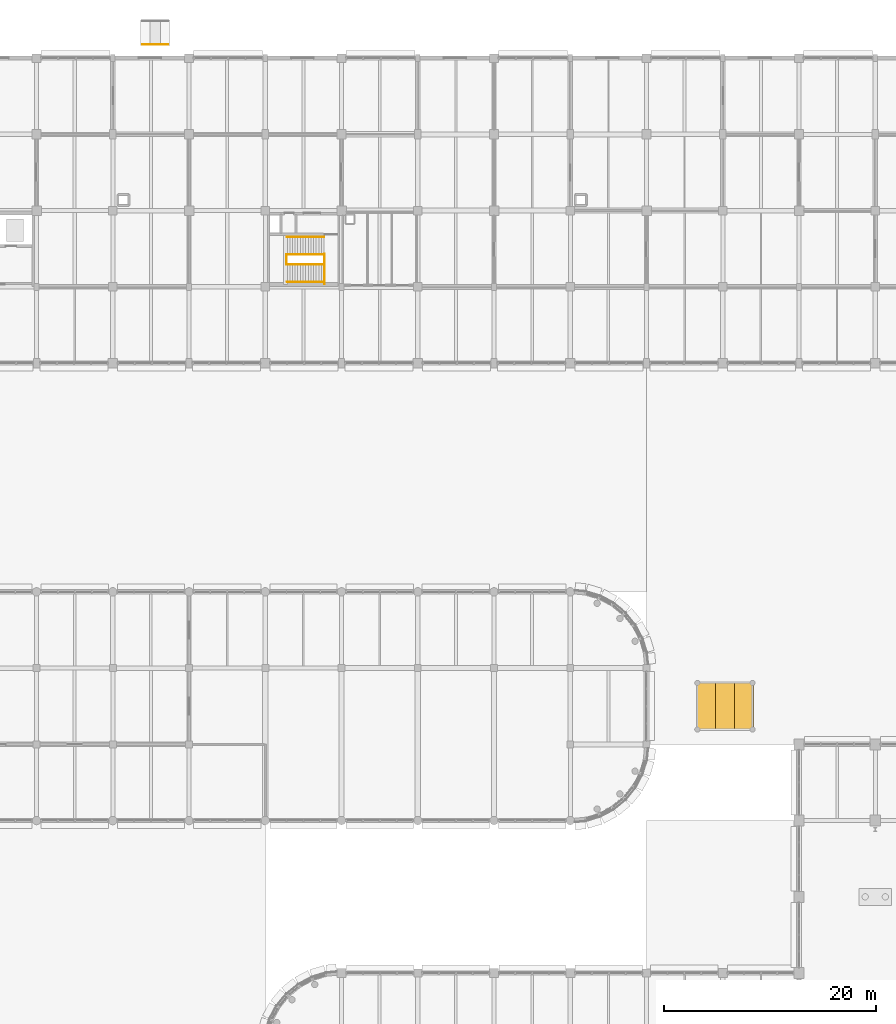
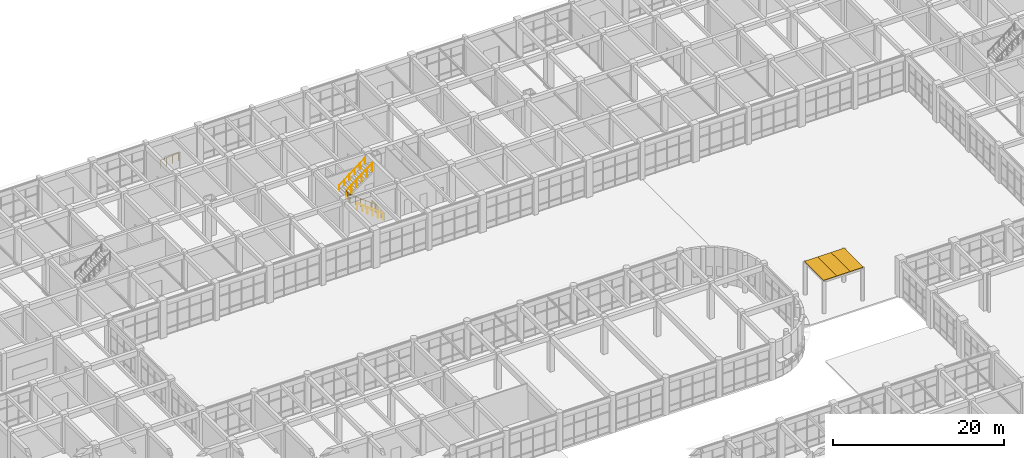
# One storey, part 156 of 160: 7 railings, 3 shading devices.
"""IFC4 building model written with IfcOpenShell, lengths in metres."""

from ifc_helpers import new_model, si_unit, direction, frame, origin, origin_2d, place, context, subcontext, project, spatial, rectangle, circle, extrude, material, layer, layer_set, type_object, element, save


model = new_model("IFC4")

# Units and contexts
model_context = context("Model", 3, precision=1e-05, world=origin(), true_north=direction((0.0, 1.0)))
body_context = subcontext(model_context, "Body", "Model", "MODEL_VIEW")
ifc_project = project(units=[si_unit("LENGTHUNIT", "METRE"), si_unit("AREAUNIT", "SQUARE_METRE"), si_unit("VOLUMEUNIT", "CUBIC_METRE"), si_unit("PLANEANGLEUNIT", "RADIAN"), si_unit("MASSUNIT", "GRAM", prefix="KILO")], contexts=[model_context])

# Site, building, storey
site_placement = place(None, origin())
site = spatial("IfcSite", under=ifc_project, at=site_placement, CompositionType="ELEMENT")
building_placement = place(site_placement, origin())
building = spatial("IfcBuilding", under=site, at=building_placement, Name="Thalmaran Polytechnic", CompositionType="ELEMENT")
storey_placement = place(building_placement, origin())
storey = spatial("IfcBuildingStorey", under=building, at=storey_placement, Name="L00", CompositionType="ELEMENT", Elevation=0.0)

# Railings
ifc_material_1 = material(Name="Stainless steel 316", Category="steel")
railing_type_1 = type_object("IfcRailingType", Name="RL-GR01", PredefinedType="GUARDRAIL", material=ifc_material_1)
railing_1_placement = place(storey_placement, frame((63.169921875, 101.050048828125, 0.0)))
element("IfcRailing", 1, at=railing_1_placement, inside=storey, type_object=railing_type_1, Name="ST6 L00 Landing Edge Guardrail", PredefinedType="GUARDRAIL", context=body_context, shape_type="SweptSolid", body=[
    extrude(circle(Radius=0.02392578125, at=origin_2d()), frame((0.0, 0.0, 1.1259765625), z_axis=(0.0, 1.0, 0.0), x_axis=(-1.0, 0.0, 0.0)), (0.0, 0.0, 1.0), 2.869873046875),
    extrude(circle(Radius=0.02099609375, at=origin_2d()), origin(), (0.0, 0.0, 1.0), 1.101806640625),
    extrude(circle(Radius=0.02099609375, at=origin_2d()), frame((0.0, 0.717529296875, 0.0)), (0.0, 0.0, 1.0), 1.101806640625),
    extrude(circle(Radius=0.02099609375, at=origin_2d()), frame((0.0, 1.43505859375, 0.0)), (0.0, 0.0, 1.0), 1.101806640625),
    extrude(circle(Radius=0.02099609375, at=origin_2d()), frame((0.0, 2.15234375, 0.0)), (0.0, 0.0, 1.0), 1.101806640625),
    extrude(circle(Radius=0.02099609375, at=origin_2d()), frame((0.0, 2.869873046875, 0.0)), (0.0, 0.0, 1.0), 1.101806640625),
])
railing_2_placement = place(storey_placement, frame((63.159912109375, 102.919921875, 0.0)))
element("IfcRailing", 2, at=railing_2_placement, inside=storey, type_object=railing_type_1, Name="ST6 L00 Lower Flight Guardrail", PredefinedType="GUARDRAIL", context=body_context, shape_type="SweptSolid", body=[
    extrude(circle(Radius=0.02392578125, at=origin_2d()), frame((0.0, 0.0, 1.1259765625), z_axis=(-0.791787597706, 0.0, 0.610796529229), x_axis=(0.0, -1.0, 0.0)), (0.0, 0.0, 1.0), 4.42041015625),
    extrude(circle(Radius=0.02099609375, at=origin_2d()), origin(), (0.0, 0.0, 1.0), 1.101806640625),
    extrude(circle(Radius=0.02099609375, at=origin_2d()), frame((-0.699951171875, 0.0, 0.5400390625)), (0.0, 0.0, 1.0), 1.101806640625),
    extrude(circle(Radius=0.02099609375, at=origin_2d()), frame((-1.39990234375, 0.0, 1.080078125)), (0.0, 0.0, 1.0), 1.101806640625),
    extrude(circle(Radius=0.02099609375, at=origin_2d()), frame((-2.10009765625, 0.0, 1.619873046875)), (0.0, 0.0, 1.0), 1.101806640625),
    extrude(circle(Radius=0.02099609375, at=origin_2d()), frame((-2.800048828125, 0.0, 2.159912109375)), (0.0, 0.0, 1.0), 1.101806640625),
    extrude(circle(Radius=0.02099609375, at=origin_2d()), frame((-3.5, 0.0, 2.699951171875)), (0.0, 0.0, 1.0), 1.101806640625),
])
railing_3_placement = place(storey_placement, frame((59.6201171875, 102.89990234375, 2.699951171875)))
element("IfcRailing", 3, at=railing_3_placement, inside=storey, type_object=railing_type_1, Name="ST6 L00 Half-Landing Well Guardrail", PredefinedType="GUARDRAIL", context=body_context, shape_type="SweptSolid", body=[
    extrude(circle(Radius=0.02392578125, at=origin_2d()), frame((0.0, 0.0, 1.1259765625), z_axis=(0.0, 1.0, 0.0), x_axis=(-1.0, 0.0, 0.0)), (0.0, 0.0, 1.0), 0.97998046875),
    extrude(circle(Radius=0.02099609375, at=origin_2d()), origin(), (0.0, 0.0, 1.0), 1.101806640625),
    extrude(circle(Radius=0.02099609375, at=origin_2d()), frame((0.0, 0.32666015625, 0.0)), (0.0, 0.0, 1.0), 1.101806640625),
    extrude(circle(Radius=0.02099609375, at=origin_2d()), frame((0.0, 0.6533203125, 0.0)), (0.0, 0.0, 1.0), 1.101806640625),
    extrude(circle(Radius=0.02099609375, at=origin_2d()), frame((0.0, 0.97998046875, 0.0)), (0.0, 0.0, 1.0), 1.101806640625),
])
railing_4_placement = place(storey_placement, frame((59.659912109375, 103.860107421875, 2.699951171875)))
element("IfcRailing", 4, at=railing_4_placement, inside=storey, type_object=railing_type_1, Name="ST6 L00 Upper Flight Guardrail", PredefinedType="GUARDRAIL", context=body_context, shape_type="SweptSolid", body=[
    extrude(circle(Radius=0.02392578125, at=origin_2d()), frame((0.0, 0.0, 1.1259765625), z_axis=(0.791787597706, 0.0, 0.610796529229), x_axis=(0.0, 1.0, 0.0)), (0.0, 0.0, 1.0), 4.42041015625),
    extrude(circle(Radius=0.02099609375, at=origin_2d()), origin(), (0.0, 0.0, 1.0), 1.101806640625),
    extrude(circle(Radius=0.02099609375, at=origin_2d()), frame((0.699951171875, 0.0, 0.5400390625)), (0.0, 0.0, 1.0), 1.101806640625),
    extrude(circle(Radius=0.02099609375, at=origin_2d()), frame((1.39990234375, 0.0, 1.080078125)), (0.0, 0.0, 1.0), 1.101806640625),
    extrude(circle(Radius=0.02099609375, at=origin_2d()), frame((2.10009765625, 0.0, 1.619873046875)), (0.0, 0.0, 1.0), 1.101806640625),
    extrude(circle(Radius=0.02099609375, at=origin_2d()), frame((2.800048828125, 0.0, 2.159912109375)), (0.0, 0.0, 1.0), 1.101806640625),
    extrude(circle(Radius=0.02099609375, at=origin_2d()), frame((3.5, 0.0, 2.699951171875)), (0.0, 0.0, 1.0), 1.101806640625),
])
railing_5_placement = place(storey_placement, frame((46.0, 123.679931640625, -0.179931640625)))
element("IfcRailing", 5, at=railing_5_placement, inside=storey, type_object=railing_type_1, Name="Ramp Guardrail PED5-A", PredefinedType="GUARDRAIL", context=body_context, shape_type="SweptSolid", body=[
    extrude(circle(Radius=0.02392578125, at=origin_2d()), frame((0.0, 0.0, 1.1259765625), z_axis=(0.997201201018, 0.0, 0.074764728906), x_axis=(0.0, 1.0, 0.0)), (0.0, 0.0, 1.0), 2.40673828125),
    extrude(circle(Radius=0.02099609375, at=origin_2d()), origin(), (0.0, 0.0, 1.0), 1.101806640625),
    extrude(circle(Radius=0.02099609375, at=origin_2d()), frame((0.800048828125, 0.0, 0.06005859375)), (0.0, 0.0, 1.0), 1.101806640625),
    extrude(circle(Radius=0.02099609375, at=origin_2d()), frame((1.599853515625, 0.0, 0.119873046875)), (0.0, 0.0, 1.0), 1.101806640625),
    extrude(circle(Radius=0.02099609375, at=origin_2d()), frame((2.39990234375, 0.0, 0.179931640625)), (0.0, 0.0, 1.0), 1.101806640625),
])
railing_type_2 = type_object("IfcRailingType", Name="RL-HR01", PredefinedType="HANDRAIL", material=ifc_material_1)
railing_6_placement = place(storey_placement, frame((63.159912109375, 101.280029296875, 0.0)))
element("IfcRailing", 6, at=railing_6_placement, inside=storey, type_object=railing_type_2, Name="ST6 L00 Flight 1 Handrail", PredefinedType="HANDRAIL", context=body_context, shape_type="SweptSolid", body=[
    extrude(circle(Radius=0.02392578125, at=origin_2d()), frame((0.0, 0.0, 0.8759765625), z_axis=(-0.791787597706, 0.0, 0.610796529229), x_axis=(0.0, -1.0, 0.0)), (0.0, 0.0, 1.0), 4.42041015625),
    extrude(circle(Radius=0.02099609375, at=origin_2d()), origin(), (0.0, 0.0, 1.0), 0.851806640625),
    extrude(circle(Radius=0.02099609375, at=origin_2d()), frame((-0.699951171875, 0.0, 0.5400390625)), (0.0, 0.0, 1.0), 0.851806640625),
    extrude(circle(Radius=0.02099609375, at=origin_2d()), frame((-1.39990234375, 0.0, 1.080078125)), (0.0, 0.0, 1.0), 0.851806640625),
    extrude(circle(Radius=0.02099609375, at=origin_2d()), frame((-2.10009765625, 0.0, 1.619873046875)), (0.0, 0.0, 1.0), 0.851806640625),
    extrude(circle(Radius=0.02099609375, at=origin_2d()), frame((-2.800048828125, 0.0, 2.159912109375)), (0.0, 0.0, 1.0), 0.851806640625),
    extrude(circle(Radius=0.02099609375, at=origin_2d()), frame((-3.5, 0.0, 2.699951171875)), (0.0, 0.0, 1.0), 0.851806640625),
])
railing_7_placement = place(storey_placement, frame((59.659912109375, 105.52001953125, 2.699951171875)))
element("IfcRailing", 7, at=railing_7_placement, inside=storey, type_object=railing_type_2, Name="ST6 L00 Flight 2 Handrail", PredefinedType="HANDRAIL", context=body_context, shape_type="SweptSolid", body=[
    extrude(circle(Radius=0.02392578125, at=origin_2d()), frame((0.0, 0.0, 0.8759765625), z_axis=(0.791787597706, 0.0, 0.610796529229), x_axis=(0.0, 1.0, 0.0)), (0.0, 0.0, 1.0), 4.42041015625),
    extrude(circle(Radius=0.02099609375, at=origin_2d()), origin(), (0.0, 0.0, 1.0), 0.851806640625),
    extrude(circle(Radius=0.02099609375, at=origin_2d()), frame((0.699951171875, 0.0, 0.5400390625)), (0.0, 0.0, 1.0), 0.851806640625),
    extrude(circle(Radius=0.02099609375, at=origin_2d()), frame((1.39990234375, 0.0, 1.080078125)), (0.0, 0.0, 1.0), 0.851806640625),
    extrude(circle(Radius=0.02099609375, at=origin_2d()), frame((2.10009765625, 0.0, 1.619873046875)), (0.0, 0.0, 1.0), 0.851806640625),
    extrude(circle(Radius=0.02099609375, at=origin_2d()), frame((2.800048828125, 0.0, 2.159912109375)), (0.0, 0.0, 1.0), 0.851806640625),
    extrude(circle(Radius=0.02099609375, at=origin_2d()), frame((3.5, 0.0, 2.699951171875)), (0.0, 0.0, 1.0), 0.851806640625),
])

# Shading devices
ifc_material_2 = material(Name="Perforated anodised-bronze aluminium screen", Category="aluminium")
ifc_layer = layer(ifc_material_2, 0.080078125, Name="Perforated anodised-bronze aluminium screen")
ifc_layer_set = layer_set([ifc_layer], Name="Perforated anodised-bronze aluminium screen")
shading_device_type = type_object("IfcShadingDeviceType", Name="SH-JL01", PredefinedType="JALOUSIE", material=ifc_layer_set)
for number, where, z_axis, x_axis, name in (
    (8, (99.199951171875, 61.199951171875, 4.599853515625), (0.0, 0.0, 1.0), (1.0, 0.0, 0.0), "Central Court Anodised-Bronze Solar Screen 1"),
    (9, (101.0, 61.199951171875, 4.599853515625), (0.0, 0.0, 1.0), (1.0, 0.0, 0.0), "Central Court Anodised-Bronze Solar Screen 2"),
    (10, (102.800048828125, 61.199951171875, 4.599853515625), (0.0, 0.0, 1.0), (1.0, 0.0, 0.0), "Central Court Anodised-Bronze Solar Screen 3"),
):
    element("IfcShadingDevice", number, at=place(storey_placement, frame(where, z_axis=z_axis, x_axis=x_axis)), inside=storey, type_object=shading_device_type, Name=name, PredefinedType="JALOUSIE", context=body_context, shape_type="SweptSolid", body=[
        extrude(rectangle(XDim=1.800048828125, YDim=4.5, at=origin_2d()), origin(), (0.0, 0.0, 1.0), 0.080078125),
    ])

save(model, "model.ifc")
